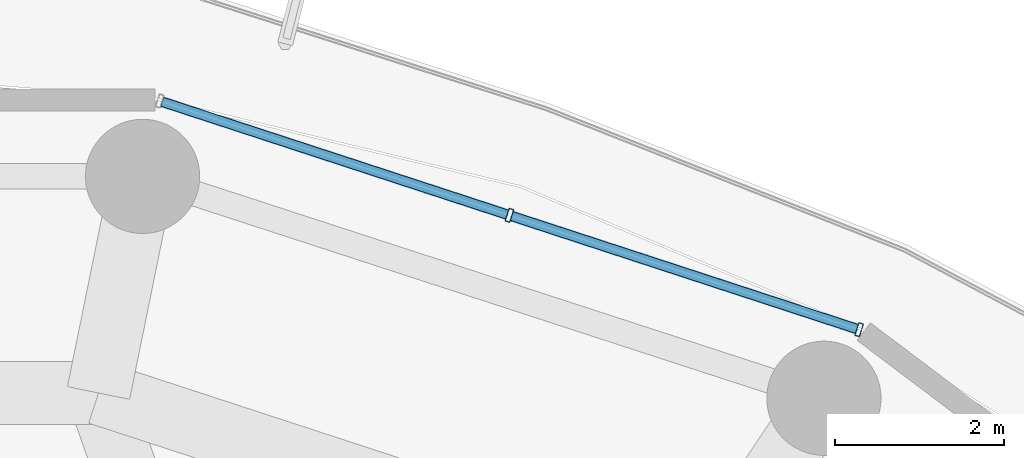
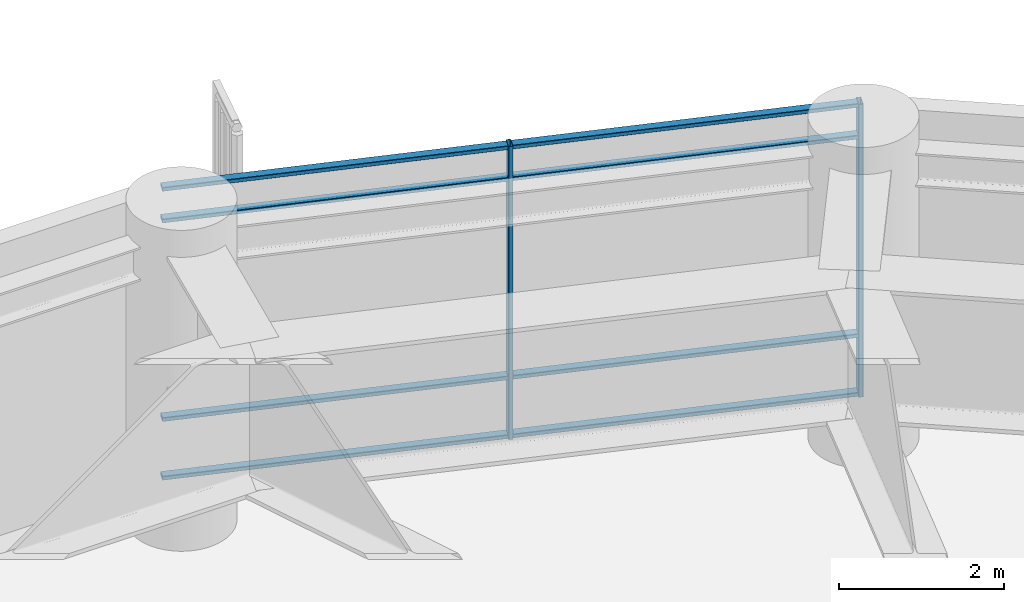
# One storey, part 23 of 34: 10 members, 1 element without a shape of its own.
"""IFC4 building model written with IfcOpenShell, lengths in metres."""

from ifc_helpers import new_model, si_unit, direction, frame, origin, origin_2d, place, context, subcontext, project, spatial, hollow_rectangle, extrude, material, layer, layer_set, material_profile, profile_set, type_object, element, aggregate, save


model = new_model("IFC4")

# Units and contexts
model_context = context("Model", 3, precision=1e-05, world=origin(), true_north=direction((0.0, 1.0)))
body_context = subcontext(model_context, "Body", "Model", "MODEL_VIEW")
ifc_project = project(units=[si_unit("LENGTHUNIT", "METRE"), si_unit("AREAUNIT", "SQUARE_METRE"), si_unit("VOLUMEUNIT", "CUBIC_METRE"), si_unit("PLANEANGLEUNIT", "RADIAN"), si_unit("MASSUNIT", "GRAM", prefix="KILO")], contexts=[model_context])

# Site, building, storey
site_placement = place(None, origin())
site = spatial("IfcSite", under=ifc_project, at=site_placement, CompositionType="ELEMENT")
building_placement = place(site_placement, origin())
building = spatial("IfcBuilding", under=site, at=building_placement, Name="Kelanora Arch Commons", CompositionType="ELEMENT")
storey_placement = place(building_placement, frame((0.0, 0.0, 125.10009765625)))
storey = spatial("IfcBuildingStorey", under=building, at=storey_placement, Name="L32", CompositionType="ELEMENT", Elevation=125.10009765625)

# Curtain wall, members
ifc_material_1 = material(Name="Terracotta ceramic-fritted low-E glass and aluminium", Category="masonry")
ifc_layer = layer(ifc_material_1, 0.159912109375)
ifc_layer_set = layer_set([ifc_layer], Name="Terracotta ceramic-fritted low-E glass and aluminium")
curtain_wall_type = type_object("IfcCurtainWallType", Name="CW-SYS-01", PredefinedType="NOTDEFINED", material=ifc_layer_set)
curtain_wall_placement = place(storey_placement, origin())
curtain_wall = element("IfcCurtainWall", 1, at=curtain_wall_placement, inside=storey, type_object=curtain_wall_type, Name="Unitised Curtain Wall L32-B03", PredefinedType="NOTDEFINED")
ifc_material_2 = material(Name="Powder-coated aluminium terracotta", Category="masonry")
ifc_material_profile_1 = material_profile(ifc_material_2, hollow_rectangle(XDim=0.159912109375, YDim=0.06005859375, WallThickness=0.0048828125, InnerFilletRadius=0.0048828125, OuterFilletRadius=0.010009765625, at=origin_2d()), Name="CWM160x60")
ifc_profile_set_1 = profile_set([ifc_material_profile_1], Name="Powder-coated aluminium terracotta")
member_type_1 = type_object("IfcMemberType", Name="CWM-STD", PredefinedType="MULLION", material=ifc_profile_set_1)
member_1_placement = place(storey_placement, frame((86.757080078125, 77.9326171875, 0.0), z_axis=(0.0, 0.0, 1.0), x_axis=(-0.31080470294, -0.950473795867, 0.0)))
member_1 = element("IfcMember", 2, at=member_1_placement, type_object=member_type_1, Name="CW-01 mullion 1", PredefinedType="MULLION", context=body_context, shape_type="SweptSolid", body=[
    extrude(hollow_rectangle(XDim=0.159912109375, YDim=0.06005859375, WallThickness=0.0048828125, InnerFilletRadius=0.0048828125, OuterFilletRadius=0.010009765625, at=origin_2d()), origin(), (0.0, 0.0, 1.0), 4.344970703125),
])
member_2_placement = place(storey_placement, frame((82.622802734375, 79.28466796875, 0.0), z_axis=(0.0, 0.0, 1.0), x_axis=(-0.31080470294, -0.950473795867, 0.0)))
member_2 = element("IfcMember", 3, at=member_2_placement, type_object=member_type_1, Name="CW-01 mullion 2", PredefinedType="MULLION", context=body_context, shape_type="SweptSolid", body=[
    extrude(hollow_rectangle(XDim=0.159912109375, YDim=0.06005859375, WallThickness=0.0048828125, InnerFilletRadius=0.0048828125, OuterFilletRadius=0.010009765625, at=origin_2d()), origin(), (0.0, 0.0, 1.0), 4.344970703125),
])
ifc_material_profile_2 = material_profile(ifc_material_2, hollow_rectangle(XDim=0.1201171875, YDim=0.06005859375, WallThickness=0.0048828125, InnerFilletRadius=0.0048828125, OuterFilletRadius=0.010009765625, at=origin_2d()), Name="CWT120x60")
ifc_profile_set_2 = profile_set([ifc_material_profile_2], Name="Powder-coated aluminium terracotta")
member_type_2 = type_object("IfcMemberType", Name="CWT-STD", PredefinedType="USERDEFINED", material=ifc_profile_set_2)
member_3_placement = place(storey_placement, frame((86.728759765625, 77.94189453125, 0.02978515625), z_axis=(-0.950466230394, 0.310827838008, 0.0), x_axis=(-0.310827838008, -0.950466230394, 0.0)))
member_3 = element("IfcMember", 4, at=member_3_placement, type_object=member_type_2, Name="CW-01 transom 1.1", ObjectType="TRANSOM", PredefinedType="USERDEFINED", context=body_context, shape_type="SweptSolid", body=[
    extrude(hollow_rectangle(XDim=0.1201171875, YDim=0.06005859375, WallThickness=0.0048828125, InnerFilletRadius=0.0048828125, OuterFilletRadius=0.010009765625, at=origin_2d()), origin(), (0.0, 0.0, 1.0), 4.2900390625),
])
member_4_placement = place(storey_placement, frame((86.728759765625, 77.94189453125, 0.89990234375), z_axis=(-0.950466230394, 0.310827838008, 0.0), x_axis=(-0.310827838008, -0.950466230394, 0.0)))
member_4 = element("IfcMember", 5, at=member_4_placement, type_object=member_type_2, Name="CW-01 transom 1.2", ObjectType="TRANSOM", PredefinedType="USERDEFINED", context=body_context, shape_type="SweptSolid", body=[
    extrude(hollow_rectangle(XDim=0.1201171875, YDim=0.06005859375, WallThickness=0.0048828125, InnerFilletRadius=0.0048828125, OuterFilletRadius=0.010009765625, at=origin_2d()), origin(), (0.0, 0.0, 1.0), 4.2900390625),
])
member_5_placement = place(storey_placement, frame((86.728759765625, 77.94189453125, 3.844970703125), z_axis=(-0.950466230394, 0.310827838008, 0.0), x_axis=(-0.310827838008, -0.950466230394, 0.0)))
member_5 = element("IfcMember", 6, at=member_5_placement, type_object=member_type_2, Name="CW-01 transom 1.3", ObjectType="TRANSOM", PredefinedType="USERDEFINED", context=body_context, shape_type="SweptSolid", body=[
    extrude(hollow_rectangle(XDim=0.1201171875, YDim=0.06005859375, WallThickness=0.0048828125, InnerFilletRadius=0.0048828125, OuterFilletRadius=0.010009765625, at=origin_2d()), origin(), (0.0, 0.0, 1.0), 4.2900390625),
])
member_6_placement = place(storey_placement, frame((86.728759765625, 77.94189453125, 4.31494140625), z_axis=(-0.950466230394, 0.310827838008, 0.0), x_axis=(-0.310827838008, -0.950466230394, 0.0)))
member_6 = element("IfcMember", 7, at=member_6_placement, type_object=member_type_2, Name="CW-01 transom 1.4", ObjectType="TRANSOM", PredefinedType="USERDEFINED", context=body_context, shape_type="SweptSolid", body=[
    extrude(hollow_rectangle(XDim=0.1201171875, YDim=0.06005859375, WallThickness=0.0048828125, InnerFilletRadius=0.0048828125, OuterFilletRadius=0.010009765625, at=origin_2d()), origin(), (0.0, 0.0, 1.0), 4.2900390625),
])
member_7_placement = place(storey_placement, frame((82.59423828125, 79.2939453125, 0.02978515625), z_axis=(-0.950477544745, 0.31079323824, 0.0), x_axis=(-0.31079323824, -0.950477544745, 0.0)))
member_7 = element("IfcMember", 8, at=member_7_placement, type_object=member_type_2, Name="CW-01 transom 2.1", ObjectType="TRANSOM", PredefinedType="USERDEFINED", context=body_context, shape_type="SweptSolid", body=[
    extrude(hollow_rectangle(XDim=0.1201171875, YDim=0.06005859375, WallThickness=0.0048828125, InnerFilletRadius=0.0048828125, OuterFilletRadius=0.010009765625, at=origin_2d()), origin(), (0.0, 0.0, 1.0), 4.289794921875),
])
member_8_placement = place(storey_placement, frame((82.59423828125, 79.2939453125, 0.89990234375), z_axis=(-0.950477544745, 0.31079323824, 0.0), x_axis=(-0.31079323824, -0.950477544745, 0.0)))
member_8 = element("IfcMember", 9, at=member_8_placement, type_object=member_type_2, Name="CW-01 transom 2.2", ObjectType="TRANSOM", PredefinedType="USERDEFINED", context=body_context, shape_type="SweptSolid", body=[
    extrude(hollow_rectangle(XDim=0.1201171875, YDim=0.06005859375, WallThickness=0.0048828125, InnerFilletRadius=0.0048828125, OuterFilletRadius=0.010009765625, at=origin_2d()), origin(), (0.0, 0.0, 1.0), 4.289794921875),
])
member_9_placement = place(storey_placement, frame((82.59423828125, 79.2939453125, 3.844970703125), z_axis=(-0.950477544745, 0.31079323824, 0.0), x_axis=(-0.31079323824, -0.950477544745, 0.0)))
member_9 = element("IfcMember", 10, at=member_9_placement, type_object=member_type_2, Name="CW-01 transom 2.3", ObjectType="TRANSOM", PredefinedType="USERDEFINED", context=body_context, shape_type="SweptSolid", body=[
    extrude(hollow_rectangle(XDim=0.1201171875, YDim=0.06005859375, WallThickness=0.0048828125, InnerFilletRadius=0.0048828125, OuterFilletRadius=0.010009765625, at=origin_2d()), origin(), (0.0, 0.0, 1.0), 4.289794921875),
])
member_10_placement = place(storey_placement, frame((82.59423828125, 79.2939453125, 4.31494140625), z_axis=(-0.950477544745, 0.31079323824, 0.0), x_axis=(-0.31079323824, -0.950477544745, 0.0)))
member_10 = element("IfcMember", 11, at=member_10_placement, type_object=member_type_2, Name="CW-01 transom 2.4", ObjectType="TRANSOM", PredefinedType="USERDEFINED", context=body_context, shape_type="SweptSolid", body=[
    extrude(hollow_rectangle(XDim=0.1201171875, YDim=0.06005859375, WallThickness=0.0048828125, InnerFilletRadius=0.0048828125, OuterFilletRadius=0.010009765625, at=origin_2d()), origin(), (0.0, 0.0, 1.0), 4.289794921875),
])
aggregate(curtain_wall, [member_1, member_2, member_3, member_4, member_5, member_6, member_7, member_8, member_9, member_10])

save(model, "model.ifc")
